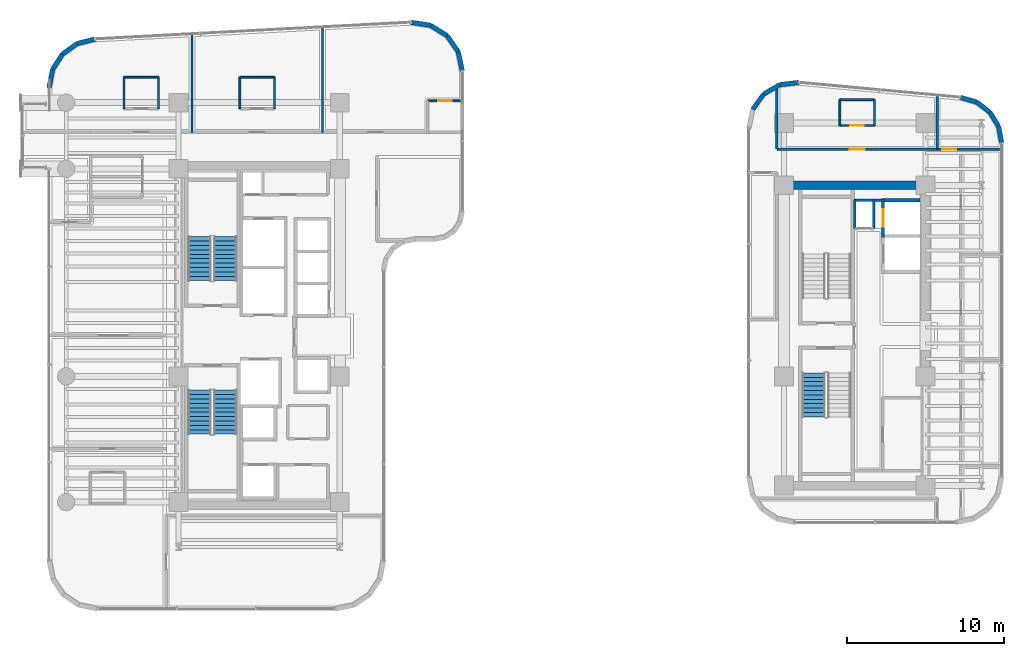
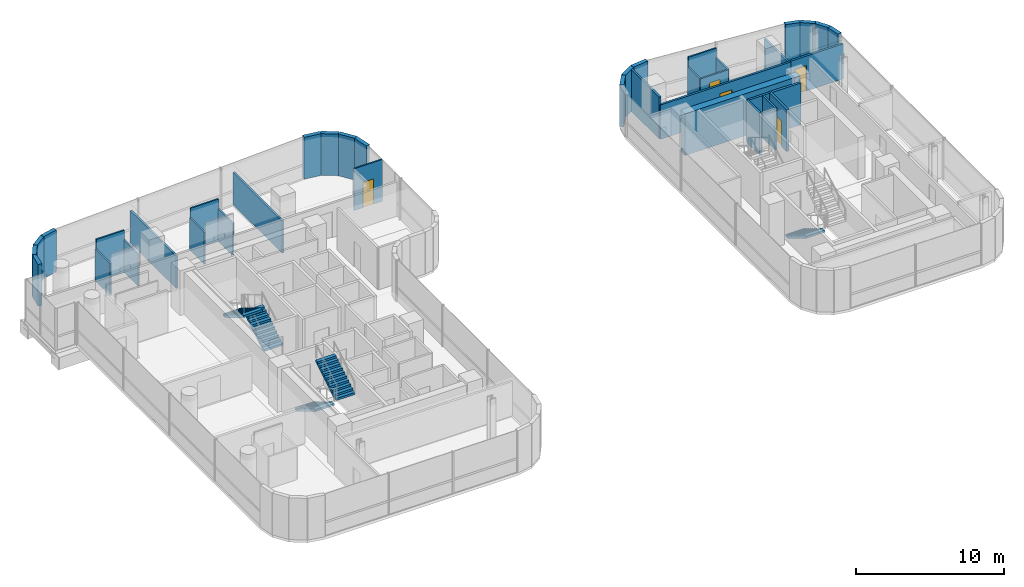
# One storey, part 28 of 33: 38 walls, 5 doors, 5 stair flights, 5 openings, 3 elements without a shape of their own.
"""IFC4 building model written with IfcOpenShell, lengths in metres."""

import ifcopenshell
import ifcopenshell.guid

model = None  # the IFC model being written
_history = None  # IfcOwnerHistory: only IFC2X3 demands one
_inside = {}  # id of a spatial element -> (the spatial element, [elements in it])
_under = {}  # id of a project, library or spatial element -> (it, [spatial elements below it])
_declared = {}  # id of a project -> (the project, [libraries it declares])
_typed = {}  # id of a type object -> (the type object, [elements of that type])
_made_of = {}  # id of a material, layer set ... -> (it, [elements and type objects made of it])


def new_model(schema):
    """Start an empty IFC model of exactly this schema.

    Asked for "IFC4X3", IfcOpenShell would pick the latest addendum, in which some entities
    have other attributes; the version numbers below select the first issue.
    IFC2X3 requires an IfcOwnerHistory on every rooted entity: one is made here for all.
    """
    global model, _history
    if schema == "IFC4X3":
        model = ifcopenshell.file(schema_version=(4, 3, 0, 0))
    else:
        model = ifcopenshell.file(schema=schema)
    _inside.clear()
    _under.clear()
    _declared.clear()
    _typed.clear()
    _made_of.clear()
    _history = None
    if model.schema == "IFC2X3":
        org = make("IfcOrganization", Name="unknown")
        user = make(
            "IfcPersonAndOrganization",
            ThePerson=make("IfcPerson", FamilyName="unknown"),
            TheOrganization=org,
        )
        app = make(
            "IfcApplication",
            ApplicationDeveloper=org,
            Version="unknown",
            ApplicationFullName="unknown",
            ApplicationIdentifier="unknown",
        )
        _history = make(
            "IfcOwnerHistory",
            OwningUser=user,
            OwningApplication=app,
            ChangeAction="ADDED",
            CreationDate=0,
        )
    return model


def make(cls, **values):
    """One entity of the class cls with the attributes given. An attribute that is None is left unset."""
    return model.create_entity(
        cls, **{name: value for name, value in values.items() if value is not None}
    )


def rooted(cls, **values):
    """An entity with a GlobalId (a new one), such as an element, a storey or a relation."""
    return make(cls, GlobalId=ifcopenshell.guid.new(), OwnerHistory=_history, **values)


def si_unit(unit_type, name, prefix=None):
    """IfcSIUnit, for example si_unit("LENGTHUNIT", "METRE", prefix="MILLI")."""
    return make("IfcSIUnit", UnitType=unit_type, Prefix=prefix, Name=name)


def assignment(units):
    """IfcUnitAssignment: the units of a project."""
    return None if units is None else make("IfcUnitAssignment", Units=units)


def point(xyz):
    """IfcCartesianPoint."""
    return None if xyz is None else make("IfcCartesianPoint", Coordinates=xyz)


def direction(xyz):
    """IfcDirection."""
    return None if xyz is None else make("IfcDirection", DirectionRatios=xyz)


def frame(location, z_axis=None, x_axis=None):
    """IfcAxis2Placement3D, a coordinate frame: its origin and axes. An axis left out is left unset."""
    return make(
        "IfcAxis2Placement3D",
        Location=point(location),
        Axis=direction(z_axis),
        RefDirection=direction(x_axis),
    )


def frame_2d(location, x_axis=None):
    """IfcAxis2Placement2D, a coordinate frame in the plane: its origin and x axis."""
    return make(
        "IfcAxis2Placement2D", Location=point(location), RefDirection=direction(x_axis)
    )


def origin():
    """The frame at (0, 0, 0) with its axes left unset."""
    return frame((0.0, 0.0, 0.0))


def place(relative_to, where):
    """IfcLocalPlacement: puts the frame where relative to a parent placement (None: the world)."""
    return make(
        "IfcLocalPlacement", PlacementRelTo=relative_to, RelativePlacement=where
    )


def context(
    kind, dimensions, precision=None, world=None, true_north=None, identifier=None
):
    """IfcGeometricRepresentationContext, for example the 3D "Model" context."""
    return make(
        "IfcGeometricRepresentationContext",
        ContextIdentifier=identifier,
        ContextType=kind,
        CoordinateSpaceDimension=dimensions,
        Precision=precision,
        WorldCoordinateSystem=world,
        TrueNorth=true_north,
    )


def subcontext(parent, identifier, kind, view, scale=None):
    """IfcGeometricRepresentationSubContext, for example "Body" below "Model"."""
    return make(
        "IfcGeometricRepresentationSubContext",
        ContextIdentifier=identifier,
        ContextType=kind,
        ParentContext=parent,
        TargetScale=scale,
        TargetView=view,
    )


def project(units=None, contexts=None):
    """IfcProject with its units and contexts."""
    return rooted(
        "IfcProject",
        Name="project",
        RepresentationContexts=contexts,
        UnitsInContext=assignment(units),
    )


def spatial(cls, under=None, at=None, **own):
    """A site, building, storey or space (cls), placed at a placement, below another one or the project."""
    s = rooted(cls, ObjectPlacement=at, **own)
    if under is not None:
        _under.setdefault(under.id(), (under, []))[1].append(s)
    return s


def polyline(points):
    """IfcPolyline through the points."""
    return make("IfcPolyline", Points=[point(p) for p in points])


def profile(cls, at=None, kind="AREA", **sizes):
    """A parametric profile (cls). Its sizes go by their IFC names, for example OverallWidth=200.0."""
    return make(cls, ProfileType=kind, Position=at, **sizes)


def rectangle(**sizes):
    """IfcRectangleProfileDef."""
    return profile("IfcRectangleProfileDef", **sizes)


def outline(outer, holes=None, kind="AREA"):
    """IfcArbitraryClosedProfileDef: a profile drawn as a closed curve; with holes, ...WithVoids."""
    if holes is None:
        return make("IfcArbitraryClosedProfileDef", ProfileType=kind, OuterCurve=outer)
    return make(
        "IfcArbitraryProfileDefWithVoids",
        ProfileType=kind,
        OuterCurve=outer,
        InnerCurves=holes,
    )


def extrude(swept, where, along, depth):
    """IfcExtrudedAreaSolid: the profile swept, set in the frame where, extruded along a direction by depth."""
    return make(
        "IfcExtrudedAreaSolid",
        SweptArea=swept,
        Position=where,
        ExtrudedDirection=direction(along),
        Depth=depth,
    )


def shape(context_of_items, identifier, shape_type, items):
    """IfcShapeRepresentation: the items that make up one representation, for example the "Body"."""
    return make(
        "IfcShapeRepresentation",
        ContextOfItems=context_of_items,
        RepresentationIdentifier=identifier,
        RepresentationType=shape_type,
        Items=items,
    )


def material(Name=None, Category=None):
    """IfcMaterial."""
    return make("IfcMaterial", Name=Name, Category=Category)


def layer(
    of_material, thickness, ventilated=None, Name=None, Category=None, Priority=None
):
    """IfcMaterialLayer: one layer of a wall or slab, of a material (None: an air gap)."""
    return make(
        "IfcMaterialLayer",
        Material=of_material,
        LayerThickness=thickness,
        IsVentilated=ventilated,
        Name=Name,
        Category=Category,
        Priority=Priority,
    )


def layer_set(layers, Name=None):
    """IfcMaterialLayerSet."""
    return make("IfcMaterialLayerSet", MaterialLayers=layers, LayerSetName=Name)


def made_of(thing, what):
    """Note that an element or type object is made of a material, layer set ...; save() writes the relation."""
    if what is not None:
        _made_of.setdefault(what.id(), (what, []))[1].append(thing)
    return thing


def type_object(cls, material=None, **own):
    """A type object (cls), such as IfcWallType, which elements share."""
    return made_of(rooted(cls, **own), material)


def element(
    cls,
    number,
    at=None,
    inside=None,
    cuts=None,
    type_object=None,
    material=None,
    context=None,
    identifier="Body",
    shape_type=None,
    held_by="IfcProductDefinitionShape",
    body=None,
    shapes=None,
    **own,
):
    """One element of the class cls, such as IfcWall. Its Tag is "e" and its number.

    at: its placement. inside: the storey or other place that contains it. cuts: it is an
    opening in that element (IfcRelVoidsElement). A single representation is given by context,
    identifier, shape_type and body (its items); several are given by shapes. held_by: the class
    of the entity that holds the representations. save() writes the other relations.
    """
    e = rooted(cls, Tag="e%d" % number, ObjectPlacement=at, **own)
    if body is not None:
        shapes = [shape(context, identifier, shape_type, body)]
    if shapes is not None:
        e.Representation = make(held_by, Representations=shapes)
    if inside is not None:
        _inside.setdefault(inside.id(), (inside, []))[1].append(e)
    if cuts is not None:
        rooted(
            "IfcRelVoidsElement", RelatingBuildingElement=cuts, RelatedOpeningElement=e
        )
    if type_object is not None:
        _typed.setdefault(type_object.id(), (type_object, []))[1].append(e)
    return made_of(e, material)


def fill(opening, filler):
    """IfcRelFillsElement: the door or window that sits in an opening."""
    return rooted(
        "IfcRelFillsElement",
        RelatingOpeningElement=opening,
        RelatedBuildingElement=filler,
    )


def aggregate(whole, parts):
    """IfcRelAggregates: a whole, such as a stair, and the parts it consists of."""
    return rooted("IfcRelAggregates", RelatingObject=whole, RelatedObjects=parts)


def save(model, path):
    """Write the relations noted so far, then the file.

    IfcRelAggregates (storeys below a building ...), IfcRelContainedInSpatialStructure (elements
    in a storey), IfcRelDefinesByType, IfcRelAssociatesMaterial and IfcRelDeclares: one each for
    every whole, place, type object, material and project.
    """
    for whole, parts in _under.values():
        aggregate(whole, parts)
    for where, things in _inside.values():
        rooted(
            "IfcRelContainedInSpatialStructure",
            RelatedElements=things,
            RelatingStructure=where,
        )
    for kind, things in _typed.values():
        rooted("IfcRelDefinesByType", RelatedObjects=things, RelatingType=kind)
    for what, things in _made_of.values():
        rooted("IfcRelAssociatesMaterial", RelatedObjects=things, RelatingMaterial=what)
    for by, libraries in _declared.values():
        rooted("IfcRelDeclares", RelatingContext=by, RelatedDefinitions=libraries)
    model.write(path)


model = new_model("IFC4")

# Units and contexts
model_context = context("Model", 3, precision=1e-05, world=origin(), true_north=direction((0.0, 1.0)))
body_context = subcontext(model_context, "Body", "Model", "MODEL_VIEW")
ifc_project = project(units=[si_unit("LENGTHUNIT", "METRE"), si_unit("AREAUNIT", "SQUARE_METRE"), si_unit("VOLUMEUNIT", "CUBIC_METRE"), si_unit("PLANEANGLEUNIT", "RADIAN"), si_unit("MASSUNIT", "GRAM", prefix="KILO")], contexts=[model_context])

# Site, building, storey
site_placement = place(None, origin())
site = spatial("IfcSite", under=ifc_project, at=site_placement, CompositionType="ELEMENT")
building_placement = place(site_placement, origin())
building = spatial("IfcBuilding", under=site, at=building_placement, Name="Valdorenza Pilgrim Sanctuary Tower", CompositionType="ELEMENT")
storey_placement = place(building_placement, frame((0.0, 0.0, 157.5)))
storey = spatial("IfcBuildingStorey", under=building, at=storey_placement, Name="L40", CompositionType="ELEMENT", Elevation=157.5)

# Walls
ifc_material_1 = material(Name="Acoustic twin-stud gypsum partition", Category="gypsum")
ifc_layer_1 = layer(ifc_material_1, 0.159912109375, Name="Acoustic twin-stud gypsum partition")
ifc_layer_set_1 = layer_set([ifc_layer_1], Name="Acoustic twin-stud gypsum partition")
wall_type_1 = type_object("IfcWallType", Name="WAL-COR-160", PredefinedType="PARTITIONING", material=ifc_layer_set_1)
for number, where, z_axis, x_axis, name in (
    (1, (21.550048828125, 6.800048828125, 0.0), (0.0, 0.0, 1.0), (0.0, 1.0, 0.0), "L40 Core B Riser East Wall"),
    (2, (20.35009765625, 6.800048828125, 0.0), (0.0, 0.0, 1.0), (0.0, 1.0, 0.0), "L40 Core B Riser West Wall"),
):
    element("IfcWall", number, at=place(storey_placement, frame(where, z_axis=z_axis, x_axis=x_axis)), inside=storey, type_object=wall_type_1, Name=name, PredefinedType="PARTITIONING", context=body_context, shape_type="SweptSolid", body=[
        extrude(rectangle(XDim=1.800048828125, YDim=0.159912109375, at=frame_2d((0.89990234375, 0.0))), origin(), (0.0, 0.0, 1.0), 3.4599609375),
    ])
wall_1_placement = place(storey_placement, frame((20.300048828125, 8.60009765625, 0.0), z_axis=(0.0, 0.0, 1.0), x_axis=(1.0, 0.0, 0.0)))
element("IfcWall", 3, at=wall_1_placement, inside=storey, type_object=wall_type_1, Name="L40 Core B Lift Hall North End Wall", PredefinedType="PARTITIONING", context=body_context, shape_type="SweptSolid", body=[
    extrude(rectangle(XDim=1.820068359375, YDim=0.159912109375, at=frame_2d((0.91015625, 0.0))), origin(), (0.0, 0.0, 1.0), 3.4599609375),
])

# Wall, opening, door
wall_2_placement = place(storey_placement, frame((15.39990234375, 11.85009765625, 0.0), z_axis=(0.0, 0.0, 1.0), x_axis=(1.0, 0.0, 0.0)))
wall_2 = element("IfcWall", 4, at=wall_2_placement, inside=storey, type_object=wall_type_1, Name="L40 Wing B North Corridor Wall", PredefinedType="PARTITIONING", context=body_context, shape_type="SweptSolid", body=[
    extrude(rectangle(XDim=10.2001953125, YDim=0.159912109375, at=frame_2d((5.10009765625, 0.0))), origin(), (0.0, 0.0, 1.0), 2.833984375),
])
opening_1_placement = place(wall_2_placement, frame((4.625, 0.0, 0.0)))
opening_1 = element("IfcOpeningElement", 5, at=opening_1_placement, cuts=wall_2, Name="Opening DR-UN1", PredefinedType="OPENING", context=body_context, shape_type="SweptSolid", body=[
    extrude(rectangle(XDim=0.949951171875, YDim=2.14990234375, at=frame_2d((0.47509765625, 1.074951171875))), frame((0.0, 0.0947265625, 0.0), z_axis=(0.0, -1.0, 0.0), x_axis=(1.0, 0.0, 0.0)), (0.0, 0.0, 1.0), 0.189697265625),
])
ifc_material_2 = material(Name="Solid-core European oak timber", Category="wood")
door_type_1 = type_object("IfcDoorType", Name="DR-UNIT-950", OperationType="NOTDEFINED", PredefinedType="DOOR", material=ifc_material_2)
door_1_placement = place(opening_1_placement, origin())
door_1 = element("IfcDoor", 6, at=door_1_placement, inside=storey, type_object=door_type_1, Name="L40 East North Guest Room L40-EN1 Entrance Door", OperationType="SINGLE_SWING_RIGHT", OverallHeight=2.14990234375, OverallWidth=0.949951171875, PredefinedType="DOOR", context=body_context, shape_type="SweptSolid", body=[
    extrude(rectangle(XDim=0.949951171875, YDim=2.14990234375, at=frame_2d((0.47509765625, 1.074951171875))), frame((0.0, 0.02490234375, 0.0), z_axis=(0.0, -1.0, 0.0), x_axis=(1.0, 0.0, 0.0)), (0.0, 0.0, 1.0), 0.050048828125),
])
fill(opening_1, door_1)

# Walls
wall_3_placement = place(storey_placement, frame((15.39990234375, 11.85009765625, 0.0), z_axis=(0.0, 0.0, 1.0), x_axis=(0.0, 1.0, 0.0)))
element("IfcWall", 7, at=wall_3_placement, inside=storey, type_object=wall_type_1, Name="L40 Wing B North West Wall", PredefinedType="PARTITIONING", context=body_context, shape_type="SweptSolid", body=[
    extrude(rectangle(XDim=3.846923828125, YDim=0.159912109375, at=frame_2d((1.92333984375, 0.0))), origin(), (0.0, 0.0, 1.0), 3.4599609375),
])
wall_4_placement = place(storey_placement, frame((25.60009765625, 11.85009765625, 0.0), z_axis=(0.0, 0.0, 1.0), x_axis=(0.0, 1.0, 0.0)))
element("IfcWall", 8, at=wall_4_placement, inside=storey, type_object=wall_type_1, Name="L40 Wing B North East Wall", PredefinedType="PARTITIONING", context=body_context, shape_type="SweptSolid", body=[
    extrude(rectangle(XDim=3.426025390625, YDim=0.159912109375, at=frame_2d((1.712890625, 0.0))), origin(), (0.0, 0.0, 1.0), 2.666015625),
])

# Wall, opening, door
wall_5_placement = place(storey_placement, frame((25.60009765625, 11.85009765625, 0.0), z_axis=(0.0, 0.0, 1.0), x_axis=(1.0, 0.0, 0.0)))
wall_5 = element("IfcWall", 9, at=wall_5_placement, inside=storey, type_object=wall_type_1, Name="L40 East Wing NE Corner South Wall", PredefinedType="PARTITIONING", context=body_context, shape_type="SweptSolid", body=[
    extrude(rectangle(XDim=4.08984375, YDim=0.159912109375, at=frame_2d((2.044921875, 0.0))), origin(), (0.0, 0.0, 1.0), 2.89599609375),
])
opening_2_placement = place(wall_5_placement, frame((0.300048828125, 0.0, 0.0)))
opening_2 = element("IfcOpeningElement", 10, at=opening_2_placement, cuts=wall_5, Name="Opening DR-RM1", PredefinedType="OPENING", context=body_context, shape_type="SweptSolid", body=[
    extrude(rectangle(XDim=0.89990234375, YDim=2.10009765625, at=frame_2d((0.449951171875, 1.050048828125))), frame((0.0, 0.0947265625, 0.0), z_axis=(0.0, -1.0, 0.0), x_axis=(1.0, 0.0, 0.0)), (0.0, 0.0, 1.0), 0.189697265625),
])
door_type_2 = type_object("IfcDoorType", Name="DR-ROOM-900", OperationType="NOTDEFINED", PredefinedType="DOOR", material=ifc_material_2)
door_2_placement = place(opening_2_placement, origin())
door_2 = element("IfcDoor", 11, at=door_2_placement, inside=storey, type_object=door_type_2, Name="L40 East North Alcove Office L40 Door", OperationType="SINGLE_SWING_LEFT", OverallHeight=2.10009765625, OverallWidth=0.89990234375, PredefinedType="DOOR", context=body_context, shape_type="SweptSolid", body=[
    extrude(rectangle(XDim=0.89990234375, YDim=2.10009765625, at=frame_2d((0.449951171875, 1.050048828125))), frame((0.0, 0.02490234375, 0.0), z_axis=(0.0, -1.0, 0.0), x_axis=(1.0, 0.0, 0.0)), (0.0, 0.0, 1.0), 0.050048828125),
])
fill(opening_2, door_2)

# Walls
ifc_material_3 = material(Name="Concrete C50/60", Category="concrete")
ifc_layer_2 = layer(ifc_material_3, 0.550048828125, Name="Concrete C50/60")
ifc_layer_set_2 = layer_set([ifc_layer_2], Name="Concrete C50/60")
wall_type_2 = type_object("IfcWallType", Name="WAL-COR-550", PredefinedType="SHEAR", material=ifc_layer_set_2)
wall_6_placement = place(storey_placement, frame((15.85009765625, 9.550048828125, 0.0), z_axis=(0.0, 0.0, 1.0), x_axis=(1.0, 0.0, 0.0)))
element("IfcWall", 12, at=wall_6_placement, inside=storey, type_object=wall_type_2, Name="L40 Split Core B Shear Wall N", PredefinedType="SHEAR", context=body_context, shape_type="SweptSolid", body=[
    extrude(rectangle(XDim=9.0, YDim=0.550048828125, at=frame_2d((4.5, 0.0))), origin(), (0.0, 0.0, 1.0), 3.4599609375),
])
ifc_material_4 = material(Name="Honed travertine limestone", Category="masonry")
ifc_layer_3 = layer(ifc_material_4, 0.300048828125, Name="Honed travertine limestone")
ifc_layer_set_3 = layer_set([ifc_layer_3], Name="Honed travertine limestone")
wall_type_3 = type_object("IfcWallType", Name="WAL-EXT-300", PredefinedType="SOLIDWALL", material=ifc_layer_set_3)
wall_7_placement = place(storey_placement, frame((-30.889892578125, 15.754150390625, 0.0), z_axis=(0.0, 0.0, 1.0), x_axis=(0.188562397879, 0.982061210977, 0.0)))
element("IfcWall", 13, at=wall_7_placement, inside=storey, type_object=wall_type_3, Name="L40 Rounded Wind-Corner Stone Pier 2", PredefinedType="SOLIDWALL", context=body_context, shape_type="SweptSolid", body=[
    extrude(rectangle(XDim=1.175537109375, YDim=0.300048828125, at=frame_2d((0.587890625, 0.0))), origin(), (0.0, 0.0, 1.0), 3.4599609375),
])
for number, where, z_axis, x_axis, name in (
    (14, (-30.668212890625, 16.90869140625, 0.0), (0.0, 0.0, 1.0), (0.539125072412, 0.842225715766, 0.0), "L40 Rounded Wind-Corner Stone Pier 3"),
    (15, (-30.040283203125, 17.8896484375, 0.0), (0.0, 0.0, 1.0), (0.81257061936, 0.582862752758, 0.0), "L40 Rounded Wind-Corner Stone Pier 4"),
):
    element("IfcWall", number, at=place(storey_placement, frame(where, z_axis=z_axis, x_axis=x_axis)), inside=storey, type_object=wall_type_3, Name=name, PredefinedType="SOLIDWALL", context=body_context, shape_type="SweptSolid", body=[
        extrude(rectangle(XDim=1.164794921875, YDim=0.300048828125, at=frame_2d((0.58251953125, 0.0))), origin(), (0.0, 0.0, 1.0), 3.4599609375),
    ])
wall_8_placement = place(storey_placement, frame((-29.09375, 18.568603515625, 0.0), z_axis=(0.0, 0.0, 1.0), x_axis=(0.970762249107, 0.24004302887, 0.0)))
element("IfcWall", 16, at=wall_8_placement, inside=storey, type_object=wall_type_3, Name="L40 Rounded Wind-Corner Stone Pier 5", PredefinedType="SOLIDWALL", context=body_context, shape_type="SweptSolid", body=[
    extrude(rectangle(XDim=1.17578125, YDim=0.300048828125, at=frame_2d((0.587890625, 0.0))), origin(), (0.0, 0.0, 1.0), 3.4599609375),
])
wall_9_placement = place(storey_placement, frame((-7.874267578125, 19.91162109375, 0.0), z_axis=(0.0, 0.0, 1.0), x_axis=(0.988741655411, -0.149632679769, 0.0)))
element("IfcWall", 17, at=wall_9_placement, inside=storey, type_object=wall_type_3, Name="L40 Rounded Wind-Corner Stone Pier 7", PredefinedType="SOLIDWALL", context=body_context, shape_type="SweptSolid", body=[
    extrude(rectangle(XDim=1.25634765625, YDim=0.300048828125, at=frame_2d((0.628173828125, 0.0))), origin(), (0.0, 0.0, 1.0), 3.4599609375),
])
wall_10_placement = place(storey_placement, frame((-6.632080078125, 19.7236328125, 0.0), z_axis=(0.0, 0.0, 1.0), x_axis=(0.849285325289, -0.527934121126, 0.0)))
element("IfcWall", 18, at=wall_10_placement, inside=storey, type_object=wall_type_3, Name="L40 Rounded Wind-Corner Stone Pier 8", PredefinedType="SOLIDWALL", context=body_context, shape_type="SweptSolid", body=[
    extrude(rectangle(XDim=1.244384765625, YDim=0.300048828125, at=frame_2d((0.6220703125, 0.0))), origin(), (0.0, 0.0, 1.0), 3.4599609375),
])
wall_11_placement = place(storey_placement, frame((-5.5751953125, 19.066650390625, 0.0), z_axis=(0.0, 0.0, 1.0), x_axis=(0.571960670617, -0.820281044074, 0.0)))
element("IfcWall", 19, at=wall_11_placement, inside=storey, type_object=wall_type_3, Name="L40 Rounded Wind-Corner Stone Pier 9", PredefinedType="SOLIDWALL", context=body_context, shape_type="SweptSolid", body=[
    extrude(rectangle(XDim=1.24462890625, YDim=0.300048828125, at=frame_2d((0.622314453125, 0.0))), origin(), (0.0, 0.0, 1.0), 3.4599609375),
])
wall_12_placement = place(storey_placement, frame((-4.86328125, 18.045654296875, 0.0), z_axis=(0.0, 0.0, 1.0), x_axis=(0.201532282172, -0.97948187285, 0.0)))
element("IfcWall", 20, at=wall_12_placement, inside=storey, type_object=wall_type_3, Name="L40 Rounded Wind-Corner Stone Pier 10", PredefinedType="SOLIDWALL", context=body_context, shape_type="SweptSolid", body=[
    extrude(rectangle(XDim=1.25634765625, YDim=0.300048828125, at=frame_2d((0.628173828125, 0.0))), origin(), (0.0, 0.0, 1.0), 3.4599609375),
])
for number, where, z_axis, x_axis, name in (
    (21, (13.858154296875, 14.377197265625, 0.0), (0.0, 0.0, 1.0), (0.583948425707, 0.811790758825, 0.0), "L40 Rounded Wind-Corner Stone Pier 3"),
    (22, (14.553955078125, 15.344482421875, 0.0), (0.0, 0.0, 1.0), (0.861907880486, 0.507064892846, 0.0), "L40 Rounded Wind-Corner Stone Pier 4"),
):
    element("IfcWall", number, at=place(storey_placement, frame(where, z_axis=z_axis, x_axis=x_axis)), inside=storey, type_object=wall_type_3, Name=name, PredefinedType="SOLIDWALL", context=body_context, shape_type="SweptSolid", body=[
        extrude(rectangle(XDim=1.191650390625, YDim=0.300048828125, at=frame_2d((0.595703125, 0.0))), origin(), (0.0, 0.0, 1.0), 3.4599609375),
    ])
wall_13_placement = place(storey_placement, frame((15.5810546875, 15.94873046875, 0.0), z_axis=(0.0, 0.0, 1.0), x_axis=(0.993288417722, 0.115663819837, 0.0)))
element("IfcWall", 23, at=wall_13_placement, inside=storey, type_object=wall_type_3, Name="L40 Rounded Wind-Corner Stone Pier 5", PredefinedType="SOLIDWALL", context=body_context, shape_type="SweptSolid", body=[
    extrude(rectangle(XDim=1.203125, YDim=0.300048828125, at=frame_2d((0.6015625, 0.0))), origin(), (0.0, 0.0, 1.0), 3.4599609375),
])
wall_14_placement = place(storey_placement, frame((27.0546875, 15.14208984375, 0.0), z_axis=(0.0, 0.0, 1.0), x_axis=(0.962012179147, -0.273006533206, 0.0)))
element("IfcWall", 24, at=wall_14_placement, inside=storey, type_object=wall_type_3, Name="L40 Rounded Wind-Corner Stone Pier 7", PredefinedType="SOLIDWALL", context=body_context, shape_type="SweptSolid", body=[
    extrude(rectangle(XDim=1.072265625, YDim=0.300048828125, at=frame_2d((0.5361328125, 0.0))), origin(), (0.0, 0.0, 1.0), 3.4599609375),
])
for number, where, z_axis, x_axis, name in (
    (25, (28.086181640625, 14.849365234375, 0.0), (0.0, 0.0, 1.0), (0.798147425144, -0.602462187806, 0.0), "L40 Rounded Wind-Corner Stone Pier 8"),
    (26, (28.93359375, 14.209716796875, 0.0), (0.0, 0.0, 1.0), (0.52675032424, -0.850020056183, 0.0), "L40 Rounded Wind-Corner Stone Pier 9"),
):
    element("IfcWall", number, at=place(storey_placement, frame(where, z_axis=z_axis, x_axis=x_axis)), inside=storey, type_object=wall_type_3, Name=name, PredefinedType="SOLIDWALL", context=body_context, shape_type="SweptSolid", body=[
        extrude(rectangle(XDim=1.061767578125, YDim=0.300048828125, at=frame_2d((0.53076171875, 0.0))), origin(), (0.0, 0.0, 1.0), 3.4599609375),
    ])
wall_15_placement = place(storey_placement, frame((29.492919921875, 13.30712890625, 0.0), z_axis=(0.0, 0.0, 1.0), x_axis=(0.183752343116, -0.98297257154, 0.0)))
element("IfcWall", 27, at=wall_15_placement, inside=storey, type_object=wall_type_3, Name="L40 Rounded Wind-Corner Stone Pier 10", PredefinedType="SOLIDWALL", context=body_context, shape_type="SweptSolid", body=[
    extrude(rectangle(XDim=1.072265625, YDim=0.300048828125, at=frame_2d((0.5361328125, 0.0))), origin(), (0.0, 0.0, 1.0), 3.4599609375),
])
ifc_material_5 = material(Name="Moisture-resistant gypsum partition", Category="gypsum")
ifc_layer_4 = layer(ifc_material_5, 0.1201171875, Name="Moisture-resistant gypsum partition")
ifc_layer_set_4 = layer_set([ifc_layer_4], Name="Moisture-resistant gypsum partition")
wall_type_4 = type_object("IfcWallType", Name="WAL-INT-120", PredefinedType="PARTITIONING", material=ifc_layer_set_4)
for number, where, z_axis, x_axis, name in (
    (28, (-26.125, 14.419921875, 0.0), (0.0, 0.0, 1.0), (0.0, 1.0, 0.0), "L40 North Guest Room L40-N1 En-suite West Wall"),
    (29, (-23.925048828125, 14.419921875, 0.0), (0.0, 0.0, 1.0), (0.0, 1.0, 0.0), "L40 North Guest Room L40-N1 En-suite East Wall"),
):
    element("IfcWall", number, at=place(storey_placement, frame(where, z_axis=z_axis, x_axis=x_axis)), inside=storey, type_object=wall_type_4, Name=name, PredefinedType="PARTITIONING", context=body_context, shape_type="SweptSolid", body=[
        extrude(rectangle(XDim=2.0, YDim=0.1201171875, at=frame_2d((1.0, 0.0))), origin(), (0.0, 0.0, 1.0), 2.666015625),
    ])
wall_16_placement = place(storey_placement, frame((-26.125, 16.419921875, 0.0), z_axis=(0.0, 0.0, 1.0), x_axis=(1.0, 0.0, 0.0)))
element("IfcWall", 30, at=wall_16_placement, inside=storey, type_object=wall_type_4, Name="L40 North Guest Room L40-N1 En-suite Back Wall", PredefinedType="PARTITIONING", context=body_context, shape_type="SweptSolid", body=[
    extrude(rectangle(XDim=2.199951171875, YDim=0.1201171875, at=frame_2d((1.10009765625, 0.0))), origin(), (0.0, 0.0, 1.0), 3.4599609375),
])
for number, where, z_axis, x_axis, name in (
    (31, (-18.75, 14.419921875, 0.0), (0.0, 0.0, 1.0), (0.0, 1.0, 0.0), "L40 North Guest Room L40-N2 En-suite West Wall"),
    (32, (-16.550048828125, 14.419921875, 0.0), (0.0, 0.0, 1.0), (0.0, 1.0, 0.0), "L40 North Guest Room L40-N2 En-suite East Wall"),
):
    element("IfcWall", number, at=place(storey_placement, frame(where, z_axis=z_axis, x_axis=x_axis)), inside=storey, type_object=wall_type_4, Name=name, PredefinedType="PARTITIONING", context=body_context, shape_type="SweptSolid", body=[
        extrude(rectangle(XDim=2.0, YDim=0.1201171875, at=frame_2d((1.0, 0.0))), origin(), (0.0, 0.0, 1.0), 2.666015625),
    ])
wall_17_placement = place(storey_placement, frame((-18.75, 16.419921875, 0.0), z_axis=(0.0, 0.0, 1.0), x_axis=(1.0, 0.0, 0.0)))
element("IfcWall", 33, at=wall_17_placement, inside=storey, type_object=wall_type_4, Name="L40 North Guest Room L40-N2 En-suite Back Wall", PredefinedType="PARTITIONING", context=body_context, shape_type="SweptSolid", body=[
    extrude(rectangle(XDim=2.199951171875, YDim=0.1201171875, at=frame_2d((1.10009765625, 0.0))), origin(), (0.0, 0.0, 1.0), 3.4599609375),
])

# Wall, opening, door
wall_18_placement = place(storey_placement, frame((-6.81005859375, 14.919921875, 0.0), z_axis=(0.0, 0.0, 1.0), x_axis=(1.0, 0.0, 0.0)))
wall_18 = element("IfcWall", 34, at=wall_18_placement, inside=storey, type_object=wall_type_4, Name="L40 North Guest Room L40-N3 En-suite Door Wall", PredefinedType="PARTITIONING", context=body_context, shape_type="SweptSolid", body=[
    extrude(rectangle(XDim=2.199951171875, YDim=0.1201171875, at=frame_2d((1.10009765625, 0.0))), origin(), (0.0, 0.0, 1.0), 3.4599609375),
])
opening_3_placement = place(wall_18_placement, frame((0.675048828125, 0.0, 0.0)))
opening_3 = element("IfcOpeningElement", 35, at=opening_3_placement, cuts=wall_18, Name="Opening DR-WC1", PredefinedType="OPENING", context=body_context, shape_type="SweptSolid", body=[
    extrude(rectangle(XDim=0.85009765625, YDim=2.10009765625, at=frame_2d((0.425048828125, 1.050048828125))), frame((0.0, 0.074951171875, 0.0), z_axis=(0.0, -1.0, 0.0), x_axis=(1.0, 0.0, 0.0)), (0.0, 0.0, 1.0), 0.14990234375),
])
ifc_material_6 = material(Name="Moisture-resistant lacquered timber", Category="wood")
door_type_3 = type_object("IfcDoorType", Name="DR-BATH-850", OperationType="NOTDEFINED", PredefinedType="DOOR", material=ifc_material_6)
door_3_placement = place(opening_3_placement, origin())
door_3 = element("IfcDoor", 36, at=door_3_placement, inside=storey, type_object=door_type_3, Name="L40 North Guest Room L40-N3 En-suite Bathroom Door", OperationType="SINGLE_SWING_RIGHT", OverallHeight=2.10009765625, OverallWidth=0.85009765625, PredefinedType="DOOR", context=body_context, shape_type="SweptSolid", body=[
    extrude(rectangle(XDim=0.85009765625, YDim=2.10009765625, at=frame_2d((0.425048828125, 1.050048828125))), frame((0.0, 0.02490234375, 0.0), z_axis=(0.0, -1.0, 0.0), x_axis=(1.0, 0.0, 0.0)), (0.0, 0.0, 1.0), 0.050048828125),
])
fill(opening_3, door_3)

# Walls
for number, where, z_axis, x_axis, name in (
    (37, (19.39990234375, 13.35009765625, 0.0), (0.0, 0.0, 1.0), (0.0, 1.0, 0.0), "L40 East North Guest Room L40-EN1 En-suite West Wall"),
    (38, (21.60009765625, 13.35009765625, 0.0), (0.0, 0.0, 1.0), (0.0, 1.0, 0.0), "L40 East North Guest Room L40-EN1 En-suite East Wall"),
):
    element("IfcWall", number, at=place(storey_placement, frame(where, z_axis=z_axis, x_axis=x_axis)), inside=storey, type_object=wall_type_4, Name=name, PredefinedType="PARTITIONING", context=body_context, shape_type="SweptSolid", body=[
        extrude(rectangle(XDim=1.64990234375, YDim=0.1201171875, at=frame_2d((0.824951171875, 0.0))), origin(), (0.0, 0.0, 1.0), 2.666015625),
    ])
wall_19_placement = place(storey_placement, frame((19.39990234375, 15.0, 0.0), z_axis=(0.0, 0.0, 1.0), x_axis=(1.0, 0.0, 0.0)))
element("IfcWall", 39, at=wall_19_placement, inside=storey, type_object=wall_type_4, Name="L40 East North Guest Room L40-EN1 En-suite Back Wall", PredefinedType="PARTITIONING", context=body_context, shape_type="SweptSolid", body=[
    extrude(rectangle(XDim=2.2001953125, YDim=0.1201171875, at=frame_2d((1.10009765625, 0.0))), origin(), (0.0, 0.0, 1.0), 3.4599609375),
])

# Wall, opening, door
wall_20_placement = place(storey_placement, frame((19.39990234375, 13.35009765625, 0.0), z_axis=(0.0, 0.0, 1.0), x_axis=(1.0, 0.0, 0.0)))
wall_20 = element("IfcWall", 40, at=wall_20_placement, inside=storey, type_object=wall_type_4, Name="L40 East North Guest Room L40-EN1 En-suite Door Wall", PredefinedType="PARTITIONING", context=body_context, shape_type="SweptSolid", body=[
    extrude(rectangle(XDim=2.2001953125, YDim=0.1201171875, at=frame_2d((1.10009765625, 0.0))), origin(), (0.0, 0.0, 1.0), 2.666015625),
])
opening_4_placement = place(wall_20_placement, frame((0.675048828125, 0.0, 0.0)))
opening_4 = element("IfcOpeningElement", 41, at=opening_4_placement, cuts=wall_20, Name="Opening DR-WC1", PredefinedType="OPENING", context=body_context, shape_type="SweptSolid", body=[
    extrude(rectangle(XDim=0.85009765625, YDim=2.10009765625, at=frame_2d((0.425048828125, 1.050048828125))), frame((0.0, 0.074951171875, 0.0), z_axis=(0.0, -1.0, 0.0), x_axis=(1.0, 0.0, 0.0)), (0.0, 0.0, 1.0), 0.14990234375),
])
door_4_placement = place(opening_4_placement, origin())
door_4 = element("IfcDoor", 42, at=door_4_placement, inside=storey, type_object=door_type_3, Name="L40 East North Guest Room L40-EN1 En-suite Bathroom Door", OperationType="SINGLE_SWING_LEFT", OverallHeight=2.10009765625, OverallWidth=0.85009765625, PredefinedType="DOOR", context=body_context, shape_type="SweptSolid", body=[
    extrude(rectangle(XDim=0.85009765625, YDim=2.10009765625, at=frame_2d((0.425048828125, 1.050048828125))), frame((0.0, 0.02490234375, 0.0), z_axis=(0.0, -1.0, 0.0), x_axis=(1.0, 0.0, 0.0)), (0.0, 0.0, 1.0), 0.050048828125),
])
fill(opening_4, door_4)

ifc_material_7 = material(Name="Autoclaved aerated concrete blockwork", Category="masonry")
ifc_layer_5 = layer(ifc_material_7, 0.199951171875, Name="Autoclaved aerated concrete blockwork")
ifc_layer_set_5 = layer_set([ifc_layer_5], Name="Autoclaved aerated concrete blockwork")
wall_type_5 = type_object("IfcWallType", Name="WAL-SHF-200", PredefinedType="MOVABLE", material=ifc_layer_set_5)
wall_21_placement = place(storey_placement, frame((22.14990234375, 6.22509765625, 0.0), z_axis=(0.0, 0.0, 1.0), x_axis=(0.0, 1.0, 0.0)))
wall_21 = element("IfcWall", 43, at=wall_21_placement, inside=storey, type_object=wall_type_5, Name="L40 Lift PL-08 Hoistway Wall West", PredefinedType="MOVABLE", context=body_context, shape_type="SweptSolid", body=[
    extrude(rectangle(XDim=2.474853515625, YDim=0.199951171875, at=frame_2d((1.2373046875, 0.0))), origin(), (0.0, 0.0, 1.0), 3.4599609375),
])
opening_5_placement = place(wall_21_placement, frame((0.6875, 0.0, 0.0)))
opening_5 = element("IfcOpeningElement", 44, at=opening_5_placement, cuts=wall_21, Name="Opening LD-01", PredefinedType="OPENING", context=body_context, shape_type="SweptSolid", body=[
    extrude(rectangle(XDim=1.10009765625, YDim=2.10009765625, at=frame_2d((0.550048828125, 1.050048828125))), frame((0.0, 0.11474609375, 0.0), z_axis=(0.0, -1.0, 0.0), x_axis=(1.0, 0.0, 0.0)), (0.0, 0.0, 1.0), 0.229736328125),
])
ifc_material_8 = material(Name="Brushed stainless steel Grade 316", Category="steel")
door_type_4 = type_object("IfcDoorType", Name="DR-LFT-1100", OperationType="DOUBLE_DOOR_SLIDING", PredefinedType="DOOR", material=ifc_material_8)
door_5_placement = place(opening_5_placement, origin())
door_5 = element("IfcDoor", 45, at=door_5_placement, inside=storey, type_object=door_type_4, Name="L40 Lift PL-08 Sliding Landing Door", OperationType="DOUBLE_DOOR_SLIDING", OverallHeight=2.10009765625, OverallWidth=1.10009765625, PredefinedType="DOOR", context=body_context, shape_type="SweptSolid", body=[
    extrude(rectangle(XDim=1.10009765625, YDim=2.10009765625, at=frame_2d((0.550048828125, 1.050048828125))), frame((0.0, 0.02490234375, 0.0), z_axis=(0.0, -1.0, 0.0), x_axis=(1.0, 0.0, 0.0)), (0.0, 0.0, 1.0), 0.050048828125),
])
fill(opening_5, door_5)

# Walls
wall_22_placement = place(storey_placement, frame((22.25, 8.60009765625, 0.0), z_axis=(0.0, 0.0, 1.0), x_axis=(1.0, 0.0, 0.0)))
element("IfcWall", 46, at=wall_22_placement, inside=storey, type_object=wall_type_5, Name="L40 Lift PL-08 Hoistway Wall North", PredefinedType="MOVABLE", context=body_context, shape_type="SweptSolid", body=[
    extrude(rectangle(XDim=2.22998046875, YDim=0.199951171875, at=frame_2d((1.114990234375, 0.0))), origin(), (0.0, 0.0, 1.0), 3.4599609375),
])
ifc_layer_6 = layer(ifc_material_1, 0.14990234375, Name="Acoustic twin-stud gypsum partition")
ifc_layer_set_6 = layer_set([ifc_layer_6], Name="Acoustic twin-stud gypsum partition")
wall_type_6 = type_object("IfcWallType", Name="WAL-UNT-150", PredefinedType="PARTITIONING", material=ifc_layer_set_6)
wall_23_placement = place(storey_placement, frame((-21.800048828125, 12.919921875, 0.0), z_axis=(0.0, 0.0, 1.0), x_axis=(0.0, 1.0, 0.0)))
element("IfcWall", 47, at=wall_23_placement, inside=storey, type_object=wall_type_6, Name="L40 North Demising 1", PredefinedType="PARTITIONING", context=body_context, shape_type="SweptSolid", body=[
    extrude(rectangle(XDim=6.255859375, YDim=0.14990234375, at=frame_2d((3.1279296875, 0.0))), origin(), (0.0, 0.0, 1.0), 2.666015625),
])
wall_24_placement = place(storey_placement, frame((-13.5, 12.919921875, 0.0), z_axis=(0.0, 0.0, 1.0), x_axis=(0.0, 1.0, 0.0)))
element("IfcWall", 48, at=wall_24_placement, inside=storey, type_object=wall_type_6, Name="L40 North Demising 2", PredefinedType="PARTITIONING", context=body_context, shape_type="SweptSolid", body=[
    extrude(rectangle(XDim=6.6943359375, YDim=0.14990234375, at=frame_2d((3.34716796875, 0.0))), origin(), (0.0, 0.0, 1.0), 2.666015625),
])

# Stair, stair flights
ifc_material_9 = material(Name="Concrete C40/50", Category="concrete")
stair_type = type_object("IfcStairType", Name="STR-DOG-CORE", PredefinedType="HALF_TURN_STAIR", material=ifc_material_9)
stair_1_placement = place(storey_placement, origin())
stair_1 = element("IfcStair", 49, at=stair_1_placement, inside=storey, type_object=stair_type, Name="L40 ST-A1", PredefinedType="HALF_TURN_STAIR")
stair_flight_type = type_object("IfcStairFlightType", Name="STF-RC-1400", PredefinedType="STRAIGHT", material=ifc_material_9)
stair_flight_1_placement = place(storey_placement, frame((-19.679931640625, 3.47998046875, 0.0), z_axis=(0.0, 0.0, 1.0), x_axis=(0.0, 1.0, 0.0)))
stair_flight_1 = element("IfcStairFlight", 50, at=stair_flight_1_placement, type_object=stair_flight_type, Name="ST-A1 flight 1", NumberOfRisers=11, NumberOfTreads=10, PredefinedType="STRAIGHT", RiserHeight=0.168181818, TreadLength=0.28, context=body_context, shape_type="SweptSolid", body=[
    extrude(outline(polyline([(0.0, 0.0), (0.0, 0.168212890625), (0.280029296875, 0.168212890625), (0.280029296875, 0.33642578125), (0.56005859375, 0.33642578125), (0.56005859375, 0.504638671875), (0.840087890625, 0.504638671875), (0.840087890625, 0.672607421875), (1.1201171875, 0.672607421875), (1.1201171875, 0.8408203125), (1.39990234375, 0.8408203125), (1.39990234375, 1.009033203125), (1.679931640625, 1.009033203125), (1.679931640625, 1.17724609375), (1.9599609375, 1.17724609375), (1.9599609375, 1.345458984375), (2.239990234375, 1.345458984375), (2.239990234375, 1.513671875), (2.52001953125, 1.513671875), (2.52001953125, 1.681884765625), (2.800048828125, 1.681884765625), (2.800048828125, 1.85009765625), (2.800048828125, 1.5068359375), (0.291015625, 0.0), (0.0, 0.0)])), frame((0.0, 0.739990234375, 0.0), z_axis=(0.0, -1.0, 0.0), x_axis=(1.0, 0.0, 0.0)), (0.0, 0.0, 1.0), 1.47998046875),
])
stair_flight_2_placement = place(storey_placement, frame((-21.31005859375, 6.280029296875, 1.85009765625), z_axis=(0.0, 0.0, 1.0), x_axis=(0.0, -1.0, 0.0)))
stair_flight_2 = element("IfcStairFlight", 51, at=stair_flight_2_placement, type_object=stair_flight_type, Name="ST-A1 flight 2", NumberOfRisers=11, NumberOfTreads=10, PredefinedType="STRAIGHT", RiserHeight=0.168181818, TreadLength=0.28, context=body_context, shape_type="SweptSolid", body=[
    extrude(outline(polyline([(0.0, 0.0), (0.0, 0.168212890625), (0.280029296875, 0.168212890625), (0.280029296875, 0.33642578125), (0.56005859375, 0.33642578125), (0.56005859375, 0.504638671875), (0.840087890625, 0.504638671875), (0.840087890625, 0.672607421875), (1.1201171875, 0.672607421875), (1.1201171875, 0.8408203125), (1.39990234375, 0.8408203125), (1.39990234375, 1.009033203125), (1.679931640625, 1.009033203125), (1.679931640625, 1.17724609375), (1.9599609375, 1.17724609375), (1.9599609375, 1.345458984375), (2.239990234375, 1.345458984375), (2.239990234375, 1.513671875), (2.52001953125, 1.513671875), (2.52001953125, 1.681884765625), (2.800048828125, 1.681884765625), (2.800048828125, 1.85009765625), (2.800048828125, 1.5068359375), (0.291015625, 0.0), (0.0, 0.0)])), frame((0.0, 0.739990234375, 0.0), z_axis=(0.0, -1.0, 0.0), x_axis=(1.0, 0.0, 0.0)), (0.0, 0.0, 1.0), 1.47998046875),
])
aggregate(stair_1, [stair_flight_1, stair_flight_2])

stair_2_placement = place(storey_placement, origin())
stair_2 = element("IfcStair", 52, at=stair_2_placement, inside=storey, type_object=stair_type, Name="L40 ST-A2", PredefinedType="HALF_TURN_STAIR")
stair_flight_3_placement = place(storey_placement, frame((-21.31005859375, -3.47998046875, 0.0), z_axis=(0.0, 0.0, 1.0), x_axis=(0.0, -1.0, 0.0)))
stair_flight_3 = element("IfcStairFlight", 53, at=stair_flight_3_placement, type_object=stair_flight_type, Name="ST-A2 flight 1", NumberOfRisers=11, NumberOfTreads=10, PredefinedType="STRAIGHT", RiserHeight=0.168181818, TreadLength=0.28, context=body_context, shape_type="SweptSolid", body=[
    extrude(outline(polyline([(0.0, 0.0), (0.0, 0.168212890625), (0.280029296875, 0.168212890625), (0.280029296875, 0.33642578125), (0.56005859375, 0.33642578125), (0.56005859375, 0.504638671875), (0.840087890625, 0.504638671875), (0.840087890625, 0.672607421875), (1.1201171875, 0.672607421875), (1.1201171875, 0.8408203125), (1.39990234375, 0.8408203125), (1.39990234375, 1.009033203125), (1.679931640625, 1.009033203125), (1.679931640625, 1.17724609375), (1.9599609375, 1.17724609375), (1.9599609375, 1.345458984375), (2.239990234375, 1.345458984375), (2.239990234375, 1.513671875), (2.52001953125, 1.513671875), (2.52001953125, 1.681884765625), (2.800048828125, 1.681884765625), (2.800048828125, 1.85009765625), (2.800048828125, 1.5068359375), (0.291015625, 0.0), (0.0, 0.0)])), frame((0.0, 0.739990234375, 0.0), z_axis=(0.0, -1.0, 0.0), x_axis=(1.0, 0.0, 0.0)), (0.0, 0.0, 1.0), 1.47998046875),
])
stair_flight_4_placement = place(storey_placement, frame((-19.679931640625, -6.280029296875, 1.85009765625), z_axis=(0.0, 0.0, 1.0), x_axis=(0.0, 1.0, 0.0)))
stair_flight_4 = element("IfcStairFlight", 54, at=stair_flight_4_placement, type_object=stair_flight_type, Name="ST-A2 flight 2", NumberOfRisers=11, NumberOfTreads=10, PredefinedType="STRAIGHT", RiserHeight=0.168181818, TreadLength=0.28, context=body_context, shape_type="SweptSolid", body=[
    extrude(outline(polyline([(0.0, 0.0), (0.0, 0.168212890625), (0.280029296875, 0.168212890625), (0.280029296875, 0.33642578125), (0.56005859375, 0.33642578125), (0.56005859375, 0.504638671875), (0.840087890625, 0.504638671875), (0.840087890625, 0.672607421875), (1.1201171875, 0.672607421875), (1.1201171875, 0.8408203125), (1.39990234375, 0.8408203125), (1.39990234375, 1.009033203125), (1.679931640625, 1.009033203125), (1.679931640625, 1.17724609375), (1.9599609375, 1.17724609375), (1.9599609375, 1.345458984375), (2.239990234375, 1.345458984375), (2.239990234375, 1.513671875), (2.52001953125, 1.513671875), (2.52001953125, 1.681884765625), (2.800048828125, 1.681884765625), (2.800048828125, 1.85009765625), (2.800048828125, 1.5068359375), (0.291015625, 0.0), (0.0, 0.0)])), frame((0.0, 0.739990234375, 0.0), z_axis=(0.0, -1.0, 0.0), x_axis=(1.0, 0.0, 0.0)), (0.0, 0.0, 1.0), 1.47998046875),
])
aggregate(stair_2, [stair_flight_3, stair_flight_4])

# Stair, stair flight
stair_3_placement = place(storey_placement, origin())
stair_3 = element("IfcStair", 55, at=stair_3_placement, inside=storey, type_object=stair_type, Name="L40 ST-B2", PredefinedType="HALF_TURN_STAIR")
stair_flight_5_placement = place(storey_placement, frame((17.739990234375, -2.3798828125, 0.0), z_axis=(0.0, 0.0, 1.0), x_axis=(0.0, -1.0, 0.0)))
stair_flight_5 = element("IfcStairFlight", 56, at=stair_flight_5_placement, type_object=stair_flight_type, Name="ST-B2 flight 1", NumberOfRisers=11, NumberOfTreads=10, PredefinedType="STRAIGHT", RiserHeight=0.168181818, TreadLength=0.28, context=body_context, shape_type="SweptSolid", body=[
    extrude(outline(polyline([(0.0, 0.0), (0.0, 0.168212890625), (0.280029296875, 0.168212890625), (0.280029296875, 0.33642578125), (0.56005859375, 0.33642578125), (0.56005859375, 0.504638671875), (0.840087890625, 0.504638671875), (0.840087890625, 0.672607421875), (1.1201171875, 0.672607421875), (1.1201171875, 0.8408203125), (1.39990234375, 0.8408203125), (1.39990234375, 1.009033203125), (1.679931640625, 1.009033203125), (1.679931640625, 1.17724609375), (1.9599609375, 1.17724609375), (1.9599609375, 1.345458984375), (2.239990234375, 1.345458984375), (2.239990234375, 1.513671875), (2.52001953125, 1.513671875), (2.52001953125, 1.681884765625), (2.800048828125, 1.681884765625), (2.800048828125, 1.85009765625), (2.800048828125, 1.5068359375), (0.291015625, 0.0), (0.0, 0.0)])), frame((0.0, 0.739990234375, 0.0), z_axis=(0.0, -1.0, 0.0), x_axis=(1.0, 0.0, 0.0)), (0.0, 0.0, 1.0), 1.47998046875),
])
aggregate(stair_3, [stair_flight_5])

save(model, "model.ifc")
